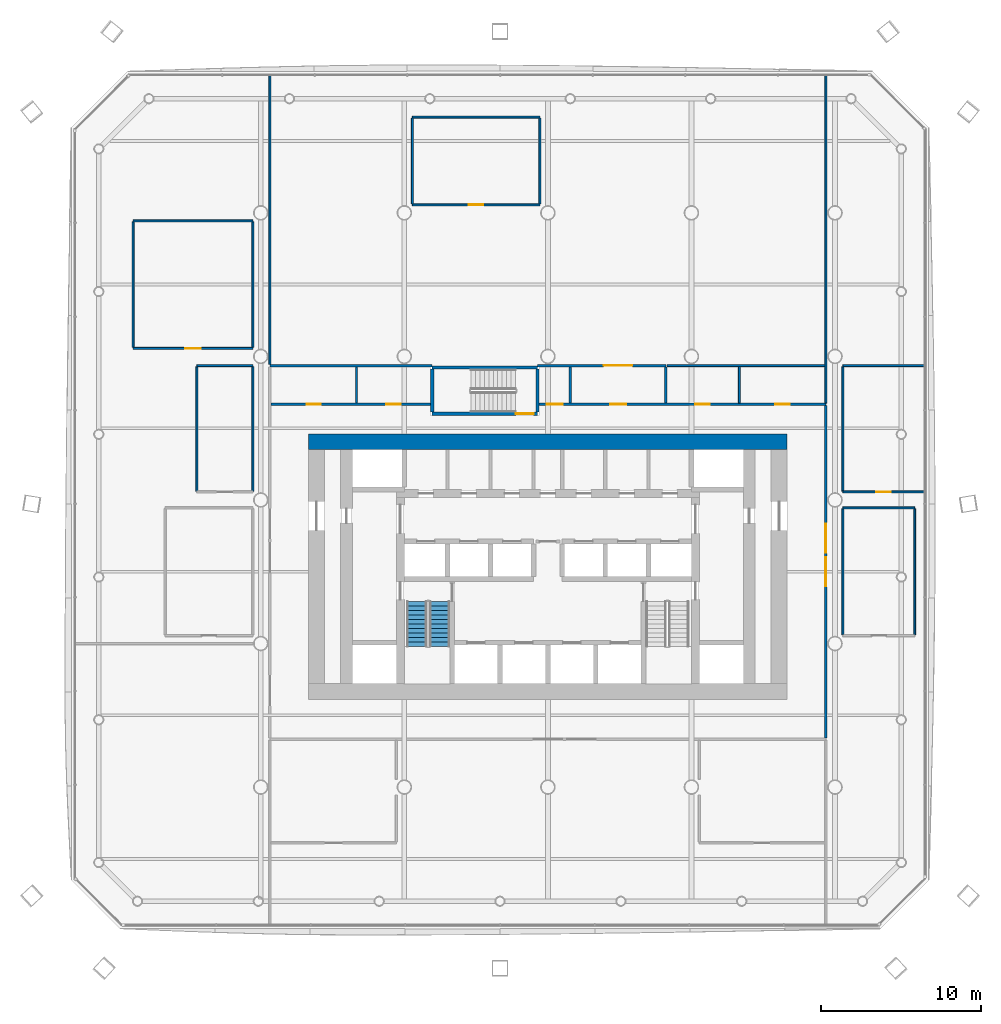
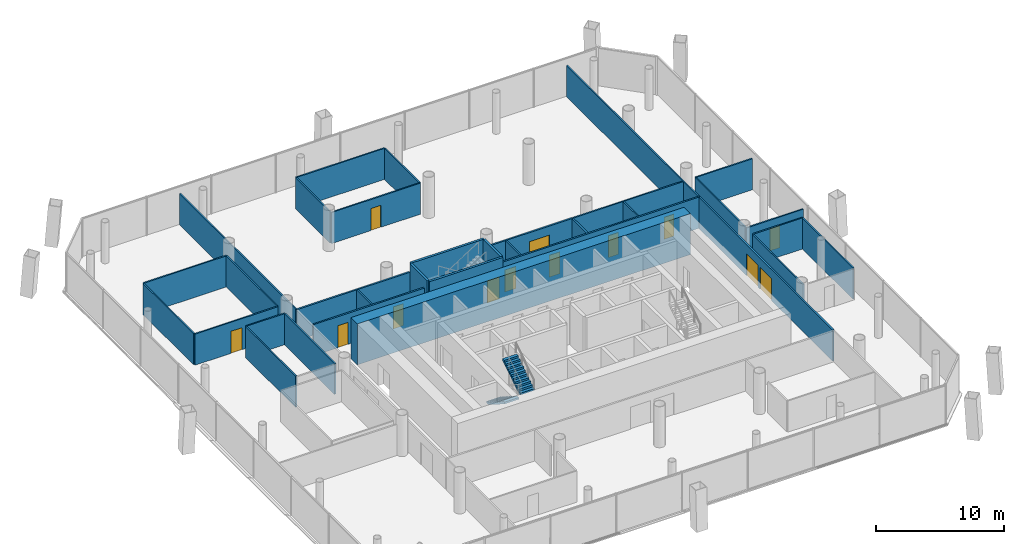
# One storey, part 15 of 21: 34 walls, 13 doors, 2 stair flights, 13 openings, 1 element without a shape of its own.
"""IFC4 building model written with IfcOpenShell, lengths in metres."""

from ifc_helpers import new_model, si_unit, direction, frame, frame_2d, origin, place, context, subcontext, project, spatial, polyline, rectangle, outline, extrude, material, layer, layer_set, type_object, element, fill, aggregate, save


model = new_model("IFC4")

# Units and contexts
model_context = context("Model", 3, precision=1e-05, world=origin(), true_north=direction((0.0, 1.0)))
body_context = subcontext(model_context, "Body", "Model", "MODEL_VIEW")
ifc_project = project(units=[si_unit("LENGTHUNIT", "METRE"), si_unit("AREAUNIT", "SQUARE_METRE"), si_unit("VOLUMEUNIT", "CUBIC_METRE"), si_unit("PLANEANGLEUNIT", "RADIAN"), si_unit("MASSUNIT", "GRAM", prefix="KILO")], contexts=[model_context])

# Site, building, storey
site_placement = place(None, origin())
site = spatial("IfcSite", under=ifc_project, at=site_placement, CompositionType="ELEMENT")
building_placement = place(site_placement, origin())
building = spatial("IfcBuilding", under=site, at=building_placement, Name="Tskaro Facet Tower", CompositionType="ELEMENT")
storey_placement = place(building_placement, frame((0.0, 0.0, 42.0)))
storey = spatial("IfcBuildingStorey", under=building, at=storey_placement, Name="L09", CompositionType="ELEMENT", Elevation=42.0)

# Walls
ifc_material_1 = material(Name="Concrete C60/75", Category="concrete")
ifc_layer_1 = layer(ifc_material_1, 1.0, Name="Concrete C60/75")
ifc_layer_set_1 = layer_set([ifc_layer_1], Name="Concrete C60/75")
wall_type_1 = type_object("IfcWallType", Name="Core wall 1000", PredefinedType="SHEAR", material=ifc_layer_set_1)
wall_1_placement = place(storey_placement, frame((-15.0, 3.64990234375, 0.0), z_axis=(0.0, 0.0, 1.0), x_axis=(1.0, 0.0, 0.0)))
element("IfcWall", 1, at=wall_1_placement, inside=storey, type_object=wall_type_1, Name="Core wall CW-Z1N", PredefinedType="SHEAR", context=body_context, shape_type="SweptSolid", body=[
    extrude(rectangle(XDim=30.0, YDim=1.0, at=frame_2d((15.0, 0.0))), origin(), (0.0, 0.0, 1.0), 3.89990234375),
])
ifc_material_2 = material(Name="Gypsum board on steel studs", Category="steel")
ifc_layer_2 = layer(ifc_material_2, 0.125, Name="Gypsum board on steel studs")
ifc_layer_set_2 = layer_set([ifc_layer_2], Name="Gypsum board on steel studs")
wall_type_2 = type_object("IfcWallType", Name="PART", PredefinedType="PARTITIONING", material=ifc_layer_set_2)
wall_2_placement = place(storey_placement, frame((18.5, -0.5, 0.0), z_axis=(0.0, 0.0, 1.0), x_axis=(1.0, 0.0, 0.0)))
element("IfcWall", 2, at=wall_2_placement, inside=storey, type_object=wall_type_2, Name="Partition W016", PredefinedType="PARTITIONING", context=body_context, shape_type="SweptSolid", body=[
    extrude(rectangle(XDim=4.5, YDim=0.125, at=frame_2d((2.25, 0.0))), origin(), (0.0, 0.0, 1.0), 2.9599609375),
])

# Wall, opening, door
wall_3_placement = place(storey_placement, frame((18.5, 0.5, 0.0), z_axis=(0.0, 0.0, 1.0), x_axis=(1.0, 0.0, 0.0)))
wall_3 = element("IfcWall", 3, at=wall_3_placement, inside=storey, type_object=wall_type_2, Name="Partition W018", PredefinedType="PARTITIONING", context=body_context, shape_type="SweptSolid", body=[
    extrude(rectangle(XDim=5.10400390625, YDim=0.125, at=frame_2d((2.552001953125, 0.0))), origin(), (0.0, 0.0, 1.0), 2.9599609375),
])
opening_1_placement = place(wall_3_placement, frame((2.10205078125, 0.0, 0.0)))
opening_1 = element("IfcOpeningElement", 4, at=opening_1_placement, cuts=wall_3, Name="Opening T2-D28", PredefinedType="OPENING", context=body_context, shape_type="SweptSolid", body=[
    extrude(rectangle(XDim=0.89990234375, YDim=2.10009765625, at=frame_2d((0.449951171875, 1.050048828125))), frame((0.0, 0.072509765625, 0.0), z_axis=(0.0, -1.0, 0.0), x_axis=(1.0, 0.0, 0.0)), (0.0, 0.0, 1.0), 0.14501953125),
])
ifc_material_3 = material(Name="Timber", Category="wood")
door_type_1 = type_object("IfcDoorType", Name="D-ROOM", OperationType="NOTDEFINED", PredefinedType="DOOR", material=ifc_material_3)
door_1_placement = place(opening_1_placement, origin())
door_1 = element("IfcDoor", 5, at=door_1_placement, inside=storey, type_object=door_type_1, Name="Door T2-D28", OperationType="SINGLE_SWING_LEFT", OverallHeight=2.10009765625, OverallWidth=0.89990234375, PredefinedType="DOOR", context=body_context, shape_type="SweptSolid", body=[
    extrude(rectangle(XDim=0.89990234375, YDim=2.10009765625, at=frame_2d((0.449951171875, 1.050048828125))), frame((0.0, 0.02490234375, 0.0), z_axis=(0.0, -1.0, 0.0), x_axis=(1.0, 0.0, 0.0)), (0.0, 0.0, 1.0), 0.050048828125),
])
fill(opening_1, door_1)

# Walls
wall_4_placement = place(storey_placement, frame((-22.0, 8.425048828125, 0.0), z_axis=(0.0, 0.0, 1.0), x_axis=(1.0, 0.0, 0.0)))
element("IfcWall", 6, at=wall_4_placement, inside=storey, type_object=wall_type_2, Name="Partition W025", PredefinedType="PARTITIONING", context=body_context, shape_type="SweptSolid", body=[
    extrude(rectangle(XDim=3.5, YDim=0.125, at=frame_2d((1.75, 0.0))), origin(), (0.0, 0.0, 1.0), 2.9599609375),
])
wall_5_placement = place(storey_placement, frame((7.47509765625, 8.425048828125, 0.0), z_axis=(0.0, 0.0, 1.0), x_axis=(1.0, 0.0, 0.0)))
element("IfcWall", 7, at=wall_5_placement, inside=storey, type_object=wall_type_2, Name="Partition W028", PredefinedType="PARTITIONING", context=body_context, shape_type="SweptSolid", body=[
    extrude(rectangle(XDim=9.887451171875, YDim=0.125, at=frame_2d((4.94384765625, 0.0))), origin(), (0.0, 0.0, 1.0), 2.9599609375),
])
wall_6_placement = place(storey_placement, frame((18.5, 8.425048828125, 0.0), z_axis=(0.0, 0.0, 1.0), x_axis=(1.0, 0.0, 0.0)))
element("IfcWall", 8, at=wall_6_placement, inside=storey, type_object=wall_type_2, Name="Partition W029", PredefinedType="PARTITIONING", context=body_context, shape_type="SweptSolid", body=[
    extrude(rectangle(XDim=5.10400390625, YDim=0.125, at=frame_2d((2.552001953125, 0.0))), origin(), (0.0, 0.0, 1.0), 2.9599609375),
])

# Wall, opening, door
wall_7_placement = place(storey_placement, frame((-26.0, 9.5, 0.0), z_axis=(0.0, 0.0, 1.0), x_axis=(1.0, 0.0, 0.0)))
wall_7 = element("IfcWall", 9, at=wall_7_placement, inside=storey, type_object=wall_type_2, Name="Partition W030", PredefinedType="PARTITIONING", context=body_context, shape_type="SweptSolid", body=[
    extrude(rectangle(XDim=7.5, YDim=0.125, at=frame_2d((3.75, 0.0))), origin(), (0.0, 0.0, 1.0), 2.9599609375),
])
opening_2_placement = place(wall_7_placement, frame((3.25, 0.0, 0.0)))
opening_2 = element("IfcOpeningElement", 10, at=opening_2_placement, cuts=wall_7, Name="Opening T2-D38", PredefinedType="OPENING", context=body_context, shape_type="SweptSolid", body=[
    extrude(rectangle(XDim=1.0, YDim=2.10009765625, at=frame_2d((0.5, 1.050048828125))), frame((0.0, 0.072509765625, 0.0), z_axis=(0.0, -1.0, 0.0), x_axis=(1.0, 0.0, 0.0)), (0.0, 0.0, 1.0), 0.14501953125),
])
door_type_2 = type_object("IfcDoorType", Name="D-ROOM-WIDE", OperationType="NOTDEFINED", PredefinedType="DOOR", material=ifc_material_3)
door_2_placement = place(opening_2_placement, origin())
door_2 = element("IfcDoor", 11, at=door_2_placement, inside=storey, type_object=door_type_2, Name="Door T2-D38", OperationType="SINGLE_SWING_LEFT", OverallHeight=2.10009765625, OverallWidth=1.0, PredefinedType="DOOR", context=body_context, shape_type="SweptSolid", body=[
    extrude(rectangle(XDim=1.0, YDim=2.10009765625, at=frame_2d((0.5, 1.050048828125))), frame((0.0, 0.02490234375, 0.0), z_axis=(0.0, -1.0, 0.0), x_axis=(1.0, 0.0, 0.0)), (0.0, 0.0, 1.0), 0.050048828125),
])
fill(opening_2, door_2)

# Wall
wall_8_placement = place(storey_placement, frame((-26.0, 17.5, 0.0), z_axis=(0.0, 0.0, 1.0), x_axis=(1.0, 0.0, 0.0)))
element("IfcWall", 12, at=wall_8_placement, inside=storey, type_object=wall_type_2, Name="Partition W031", PredefinedType="PARTITIONING", context=body_context, shape_type="SweptSolid", body=[
    extrude(rectangle(XDim=7.5, YDim=0.125, at=frame_2d((3.75, 0.0))), origin(), (0.0, 0.0, 1.0), 2.9599609375),
])

# Wall, opening, door
wall_9_placement = place(storey_placement, frame((-8.5, 18.5, 0.0), z_axis=(0.0, 0.0, 1.0), x_axis=(1.0, 0.0, 0.0)))
wall_9 = element("IfcWall", 13, at=wall_9_placement, inside=storey, type_object=wall_type_2, Name="Partition W032", PredefinedType="PARTITIONING", context=body_context, shape_type="SweptSolid", body=[
    extrude(rectangle(XDim=8.0, YDim=0.125, at=frame_2d((4.0, 0.0))), origin(), (0.0, 0.0, 1.0), 2.9599609375),
])
opening_3_placement = place(wall_9_placement, frame((3.550048828125, 0.0, 0.0)))
opening_3 = element("IfcOpeningElement", 14, at=opening_3_placement, cuts=wall_9, Name="Opening T2-D39", PredefinedType="OPENING", context=body_context, shape_type="SweptSolid", body=[
    extrude(rectangle(XDim=0.89990234375, YDim=2.10009765625, at=frame_2d((0.449951171875, 1.050048828125))), frame((0.0, 0.072509765625, 0.0), z_axis=(0.0, -1.0, 0.0), x_axis=(1.0, 0.0, 0.0)), (0.0, 0.0, 1.0), 0.14501953125),
])
door_3_placement = place(opening_3_placement, origin())
door_3 = element("IfcDoor", 15, at=door_3_placement, inside=storey, type_object=door_type_1, Name="Door T2-D39", OperationType="SINGLE_SWING_LEFT", OverallHeight=2.10009765625, OverallWidth=0.89990234375, PredefinedType="DOOR", context=body_context, shape_type="SweptSolid", body=[
    extrude(rectangle(XDim=0.89990234375, YDim=2.10009765625, at=frame_2d((0.449951171875, 1.050048828125))), frame((0.0, 0.02490234375, 0.0), z_axis=(0.0, -1.0, 0.0), x_axis=(1.0, 0.0, 0.0)), (0.0, 0.0, 1.0), 0.050048828125),
])
fill(opening_3, door_3)

# Walls
wall_10_placement = place(storey_placement, frame((-8.5, 24.0, 0.0), z_axis=(0.0, 0.0, 1.0), x_axis=(1.0, 0.0, 0.0)))
element("IfcWall", 16, at=wall_10_placement, inside=storey, type_object=wall_type_2, Name="Partition W033", PredefinedType="PARTITIONING", context=body_context, shape_type="SweptSolid", body=[
    extrude(rectangle(XDim=8.0, YDim=0.125, at=frame_2d((4.0, 0.0))), origin(), (0.0, 0.0, 1.0), 2.9599609375),
])
wall_11_placement = place(storey_placement, frame((-26.0, 9.5625, 0.0), z_axis=(0.0, 0.0, 1.0), x_axis=(0.0, 1.0, 0.0)))
element("IfcWall", 17, at=wall_11_placement, inside=storey, type_object=wall_type_2, Name="Partition W034", PredefinedType="PARTITIONING", context=body_context, shape_type="SweptSolid", body=[
    extrude(rectangle(XDim=7.875, YDim=0.125, at=frame_2d((3.9375, 0.0))), origin(), (0.0, 0.0, 1.0), 2.9599609375),
])
for number, where, z_axis, x_axis, name in (
    (18, (-22.0, 0.5625, 0.0), (0.0, 0.0, 1.0), (0.0, 1.0, 0.0), "Partition W036"),
    (19, (-18.5, 0.5625, 0.0), (0.0, 0.0, 1.0), (0.0, 1.0, 0.0), "Partition W038"),
):
    element("IfcWall", number, at=place(storey_placement, frame(where, z_axis=z_axis, x_axis=x_axis)), inside=storey, type_object=wall_type_2, Name=name, PredefinedType="PARTITIONING", context=body_context, shape_type="SweptSolid", body=[
        extrude(rectangle(XDim=7.800048828125, YDim=0.125, at=frame_2d((3.89990234375, 0.0))), origin(), (0.0, 0.0, 1.0), 2.9599609375),
    ])
wall_12_placement = place(storey_placement, frame((-18.5, 9.5625, 0.0), z_axis=(0.0, 0.0, 1.0), x_axis=(0.0, 1.0, 0.0)))
element("IfcWall", 20, at=wall_12_placement, inside=storey, type_object=wall_type_2, Name="Partition W039", PredefinedType="PARTITIONING", context=body_context, shape_type="SweptSolid", body=[
    extrude(rectangle(XDim=7.875, YDim=0.125, at=frame_2d((3.9375, 0.0))), origin(), (0.0, 0.0, 1.0), 2.9599609375),
])
wall_13_placement = place(storey_placement, frame((-17.425048828125, 8.5, 0.0), z_axis=(0.0, 0.0, 1.0), x_axis=(0.0, 1.0, 0.0)))
element("IfcWall", 21, at=wall_13_placement, inside=storey, type_object=wall_type_2, Name="Partition W042", PredefinedType="PARTITIONING", context=body_context, shape_type="SweptSolid", body=[
    extrude(rectangle(XDim=18.10400390625, YDim=0.125, at=frame_2d((9.052001953125, 0.0))), origin(), (0.0, 0.0, 1.0), 2.9599609375),
])
for number, where, z_axis, x_axis, name in (
    (22, (-8.5, 18.5625, 0.0), (0.0, 0.0, 1.0), (0.0, 1.0, 0.0), "Partition W047"),
    (23, (-0.5, 18.5625, 0.0), (0.0, 0.0, 1.0), (0.0, 1.0, 0.0), "Partition W058"),
):
    element("IfcWall", number, at=place(storey_placement, frame(where, z_axis=z_axis, x_axis=x_axis)), inside=storey, type_object=wall_type_2, Name=name, PredefinedType="PARTITIONING", context=body_context, shape_type="SweptSolid", body=[
        extrude(rectangle(XDim=5.375, YDim=0.125, at=frame_2d((2.6875, 0.0))), origin(), (0.0, 0.0, 1.0), 2.9599609375),
    ])
wall_14_placement = place(storey_placement, frame((12.0, 6.074951171875, 0.0), z_axis=(0.0, 0.0, 1.0), x_axis=(0.0, 1.0, 0.0)))
element("IfcWall", 24, at=wall_14_placement, inside=storey, type_object=wall_type_2, Name="Partition W073", PredefinedType="PARTITIONING", context=body_context, shape_type="SweptSolid", body=[
    extrude(rectangle(XDim=2.28759765625, YDim=0.125, at=frame_2d((1.143798828125, 0.0))), origin(), (0.0, 0.0, 1.0), 2.9599609375),
])
wall_15_placement = place(storey_placement, frame((17.425048828125, 6.074951171875, 0.0), z_axis=(0.0, 0.0, 1.0), x_axis=(0.0, 1.0, 0.0)))
element("IfcWall", 25, at=wall_15_placement, inside=storey, type_object=wall_type_2, Name="Partition W076", PredefinedType="PARTITIONING", context=body_context, shape_type="SweptSolid", body=[
    extrude(rectangle(XDim=20.529052734375, YDim=0.125, at=frame_2d((10.2646484375, 0.0))), origin(), (0.0, 0.0, 1.0), 2.9599609375),
])
wall_16_placement = place(storey_placement, frame((18.5, -8.4375, 0.0), z_axis=(0.0, 0.0, 1.0), x_axis=(0.0, 1.0, 0.0)))
element("IfcWall", 26, at=wall_16_placement, inside=storey, type_object=wall_type_2, Name="Partition W077", PredefinedType="PARTITIONING", context=body_context, shape_type="SweptSolid", body=[
    extrude(rectangle(XDim=7.875, YDim=0.125, at=frame_2d((3.9375, 0.0))), origin(), (0.0, 0.0, 1.0), 2.9599609375),
])
wall_17_placement = place(storey_placement, frame((18.5, 0.5625, 0.0), z_axis=(0.0, 0.0, 1.0), x_axis=(0.0, 1.0, 0.0)))
element("IfcWall", 27, at=wall_17_placement, inside=storey, type_object=wall_type_2, Name="Partition W078", PredefinedType="PARTITIONING", context=body_context, shape_type="SweptSolid", body=[
    extrude(rectangle(XDim=7.800048828125, YDim=0.125, at=frame_2d((3.89990234375, 0.0))), origin(), (0.0, 0.0, 1.0), 2.9599609375),
])
wall_18_placement = place(storey_placement, frame((23.0, -8.4375, 0.0), z_axis=(0.0, 0.0, 1.0), x_axis=(0.0, 1.0, 0.0)))
element("IfcWall", 28, at=wall_18_placement, inside=storey, type_object=wall_type_2, Name="Partition W079", PredefinedType="PARTITIONING", context=body_context, shape_type="SweptSolid", body=[
    extrude(rectangle(XDim=7.875, YDim=0.125, at=frame_2d((3.9375, 0.0))), origin(), (0.0, 0.0, 1.0), 2.9599609375),
])

# Wall, openings, doors
ifc_layer_3 = layer(ifc_material_2, 0.14990234375, Name="Gypsum board on steel studs")
ifc_layer_set_3 = layer_set([ifc_layer_3], Name="Gypsum board on steel studs")
wall_type_3 = type_object("IfcWallType", Name="PART-CORR", PredefinedType="PARTITIONING", material=ifc_layer_set_3)
wall_19_placement = place(storey_placement, frame((-17.35009765625, 6.0, 0.0), z_axis=(0.0, 0.0, 1.0), x_axis=(1.0, 0.0, 0.0)))
wall_19 = element("IfcWall", 29, at=wall_19_placement, inside=storey, type_object=wall_type_3, Name="Corridor wall W022", PredefinedType="PARTITIONING", context=body_context, shape_type="SweptSolid", body=[
    extrude(rectangle(XDim=10.0, YDim=0.14990234375, at=frame_2d((5.0, 0.0))), origin(), (0.0, 0.0, 1.0), 2.9599609375),
])
opening_4_placement = place(wall_19_placement, frame((2.22509765625, 0.0, 0.0)))
opening_4 = element("IfcOpeningElement", 30, at=opening_4_placement, cuts=wall_19, Name="Opening T2-D31", PredefinedType="OPENING", context=body_context, shape_type="SweptSolid", body=[
    extrude(rectangle(XDim=0.89990234375, YDim=2.10009765625, at=frame_2d((0.449951171875, 1.050048828125))), frame((0.0, 0.0849609375, 0.0), z_axis=(0.0, -1.0, 0.0), x_axis=(1.0, 0.0, 0.0)), (0.0, 0.0, 1.0), 0.169921875),
])
opening_5_placement = place(wall_19_placement, frame((7.22509765625, 0.0, 0.0)))
opening_5 = element("IfcOpeningElement", 31, at=opening_5_placement, cuts=wall_19, Name="Opening T2-D32", PredefinedType="OPENING", context=body_context, shape_type="SweptSolid", body=[
    extrude(rectangle(XDim=0.89990234375, YDim=2.10009765625, at=frame_2d((0.449951171875, 1.050048828125))), frame((0.0, 0.0849609375, 0.0), z_axis=(0.0, -1.0, 0.0), x_axis=(1.0, 0.0, 0.0)), (0.0, 0.0, 1.0), 0.169921875),
])
door_4_placement = place(opening_4_placement, origin())
door_4 = element("IfcDoor", 32, at=door_4_placement, inside=storey, type_object=door_type_1, Name="Door T2-D31", OperationType="SINGLE_SWING_LEFT", OverallHeight=2.10009765625, OverallWidth=0.89990234375, PredefinedType="DOOR", context=body_context, shape_type="SweptSolid", body=[
    extrude(rectangle(XDim=0.89990234375, YDim=2.10009765625, at=frame_2d((0.449951171875, 1.050048828125))), frame((0.0, 0.02490234375, 0.0), z_axis=(0.0, -1.0, 0.0), x_axis=(1.0, 0.0, 0.0)), (0.0, 0.0, 1.0), 0.050048828125),
])
fill(opening_4, door_4)
door_5_placement = place(opening_5_placement, origin())
door_5 = element("IfcDoor", 33, at=door_5_placement, inside=storey, type_object=door_type_1, Name="Door T2-D32", OperationType="SINGLE_SWING_LEFT", OverallHeight=2.10009765625, OverallWidth=0.89990234375, PredefinedType="DOOR", context=body_context, shape_type="SweptSolid", body=[
    extrude(rectangle(XDim=0.89990234375, YDim=2.10009765625, at=frame_2d((0.449951171875, 1.050048828125))), frame((0.0, 0.02490234375, 0.0), z_axis=(0.0, -1.0, 0.0), x_axis=(1.0, 0.0, 0.0)), (0.0, 0.0, 1.0), 0.050048828125),
])
fill(opening_5, door_5)

wall_20_placement = place(storey_placement, frame((17.425048828125, 6.0, 0.0), z_axis=(0.0, 0.0, 1.0), x_axis=(-1.0, 0.0, 0.0)))
wall_20 = element("IfcWall", 34, at=wall_20_placement, inside=storey, type_object=wall_type_3, Name="Corridor wall W023", PredefinedType="PARTITIONING", context=body_context, shape_type="SweptSolid", body=[
    extrude(rectangle(XDim=17.97509765625, YDim=0.14990234375, at=frame_2d((8.987548828125, 0.0))), origin(), (0.0, 0.0, 1.0), 2.9599609375),
])
opening_6_placement = place(wall_20_placement, frame((12.52490234375, 0.0, 0.0)))
opening_6 = element("IfcOpeningElement", 35, at=opening_6_placement, cuts=wall_20, Name="Opening T2-D34", PredefinedType="OPENING", context=body_context, shape_type="SweptSolid", body=[
    extrude(rectangle(XDim=1.0, YDim=2.10009765625, at=frame_2d((0.5, 1.050048828125))), frame((0.0, 0.0849609375, 0.0), z_axis=(0.0, -1.0, 0.0), x_axis=(1.0, 0.0, 0.0)), (0.0, 0.0, 1.0), 0.169921875),
])
opening_7_placement = place(wall_20_placement, frame((16.5, 0.0, 0.0)))
opening_7 = element("IfcOpeningElement", 36, at=opening_7_placement, cuts=wall_20, Name="Opening T2-D33", PredefinedType="OPENING", context=body_context, shape_type="SweptSolid", body=[
    extrude(rectangle(XDim=1.0, YDim=2.10009765625, at=frame_2d((0.5, 1.050048828125))), frame((0.0, 0.0849609375, 0.0), z_axis=(0.0, -1.0, 0.0), x_axis=(1.0, 0.0, 0.0)), (0.0, 0.0, 1.0), 0.169921875),
])
opening_8_placement = place(wall_20_placement, frame((7.27490234375, 0.0, 0.0)))
opening_8 = element("IfcOpeningElement", 37, at=opening_8_placement, cuts=wall_20, Name="Opening T2-D35", PredefinedType="OPENING", context=body_context, shape_type="SweptSolid", body=[
    extrude(rectangle(XDim=0.89990234375, YDim=2.10009765625, at=frame_2d((0.449951171875, 1.050048828125))), frame((0.0, 0.0849609375, 0.0), z_axis=(0.0, -1.0, 0.0), x_axis=(1.0, 0.0, 0.0)), (0.0, 0.0, 1.0), 0.169921875),
])
opening_9_placement = place(wall_20_placement, frame((2.262451171875, 0.0, 0.0)))
opening_9 = element("IfcOpeningElement", 38, at=opening_9_placement, cuts=wall_20, Name="Opening T2-D36", PredefinedType="OPENING", context=body_context, shape_type="SweptSolid", body=[
    extrude(rectangle(XDim=0.89990234375, YDim=2.10009765625, at=frame_2d((0.449951171875, 1.050048828125))), frame((0.0, 0.0849609375, 0.0), z_axis=(0.0, -1.0, 0.0), x_axis=(1.0, 0.0, 0.0)), (0.0, 0.0, 1.0), 0.169921875),
])
door_type_3 = type_object("IfcDoorType", Name="D-ENTRY", OperationType="NOTDEFINED", PredefinedType="DOOR", material=ifc_material_3)
door_6_placement = place(opening_6_placement, origin())
door_6 = element("IfcDoor", 39, at=door_6_placement, inside=storey, type_object=door_type_3, Name="Door T2-D34", OperationType="SINGLE_SWING_RIGHT", OverallHeight=2.10009765625, OverallWidth=1.0, PredefinedType="DOOR", context=body_context, shape_type="SweptSolid", body=[
    extrude(rectangle(XDim=1.0, YDim=2.10009765625, at=frame_2d((0.5, 1.050048828125))), frame((0.0, 0.02490234375, 0.0), z_axis=(0.0, -1.0, 0.0), x_axis=(1.0, 0.0, 0.0)), (0.0, 0.0, 1.0), 0.050048828125),
])
fill(opening_6, door_6)
door_7_placement = place(opening_8_placement, origin())
door_7 = element("IfcDoor", 40, at=door_7_placement, inside=storey, type_object=door_type_1, Name="Door T2-D35", OperationType="SINGLE_SWING_RIGHT", OverallHeight=2.10009765625, OverallWidth=0.89990234375, PredefinedType="DOOR", context=body_context, shape_type="SweptSolid", body=[
    extrude(rectangle(XDim=0.89990234375, YDim=2.10009765625, at=frame_2d((0.449951171875, 1.050048828125))), frame((0.0, 0.02490234375, 0.0), z_axis=(0.0, -1.0, 0.0), x_axis=(1.0, 0.0, 0.0)), (0.0, 0.0, 1.0), 0.050048828125),
])
fill(opening_8, door_7)
door_8_placement = place(opening_9_placement, origin())
door_8 = element("IfcDoor", 41, at=door_8_placement, inside=storey, type_object=door_type_1, Name="Door T2-D36", OperationType="SINGLE_SWING_RIGHT", OverallHeight=2.10009765625, OverallWidth=0.89990234375, PredefinedType="DOOR", context=body_context, shape_type="SweptSolid", body=[
    extrude(rectangle(XDim=0.89990234375, YDim=2.10009765625, at=frame_2d((0.449951171875, 1.050048828125))), frame((0.0, 0.02490234375, 0.0), z_axis=(0.0, -1.0, 0.0), x_axis=(1.0, 0.0, 0.0)), (0.0, 0.0, 1.0), 0.050048828125),
])
fill(opening_9, door_8)
door_9_placement = place(opening_7_placement, origin())
door_9 = element("IfcDoor", 42, at=door_9_placement, inside=storey, type_object=door_type_2, Name="Door T2-D33", OperationType="SINGLE_SWING_RIGHT", OverallHeight=2.10009765625, OverallWidth=1.0, PredefinedType="DOOR", context=body_context, shape_type="SweptSolid", body=[
    extrude(rectangle(XDim=1.0, YDim=2.10009765625, at=frame_2d((0.5, 1.050048828125))), frame((0.0, 0.02490234375, 0.0), z_axis=(0.0, -1.0, 0.0), x_axis=(1.0, 0.0, 0.0)), (0.0, 0.0, 1.0), 0.050048828125),
])
fill(opening_7, door_9)

# Wall
wall_21_placement = place(storey_placement, frame((-17.425048828125, 8.425048828125, 0.0), z_axis=(0.0, 0.0, 1.0), x_axis=(1.0, 0.0, 0.0)))
element("IfcWall", 43, at=wall_21_placement, inside=storey, type_object=wall_type_3, Name="Corridor wall W026", PredefinedType="PARTITIONING", context=body_context, shape_type="SweptSolid", body=[
    extrude(rectangle(XDim=10.175048828125, YDim=0.14990234375, at=frame_2d((5.08740234375, 0.0))), origin(), (0.0, 0.0, 1.0), 2.9599609375),
])

# Wall, opening, door
wall_22_placement = place(storey_placement, frame((-0.64990234375, 8.425048828125, 0.0), z_axis=(0.0, 0.0, 1.0), x_axis=(1.0, 0.0, 0.0)))
wall_22 = element("IfcWall", 44, at=wall_22_placement, inside=storey, type_object=wall_type_3, Name="Corridor wall W027", PredefinedType="PARTITIONING", context=body_context, shape_type="SweptSolid", body=[
    extrude(rectangle(XDim=8.0498046875, YDim=0.14990234375, at=frame_2d((4.02490234375, 0.0))), origin(), (0.0, 0.0, 1.0), 2.9599609375),
])
opening_10_placement = place(wall_22_placement, frame((4.14990234375, 0.0, 0.0)))
opening_10 = element("IfcOpeningElement", 45, at=opening_10_placement, cuts=wall_22, Name="Opening T2-D37", PredefinedType="OPENING", context=body_context, shape_type="SweptSolid", body=[
    extrude(rectangle(XDim=1.800048828125, YDim=2.10009765625, at=frame_2d((0.89990234375, 1.050048828125))), frame((0.0, 0.0849609375, 0.0), z_axis=(0.0, -1.0, 0.0), x_axis=(1.0, 0.0, 0.0)), (0.0, 0.0, 1.0), 0.169921875),
])
ifc_material_4 = material(Name="Glass", Category="glass")
door_type_4 = type_object("IfcDoorType", Name="D-ENTRY-PAIR", OperationType="NOTDEFINED", PredefinedType="DOOR", material=ifc_material_4)
door_10_placement = place(opening_10_placement, origin())
door_10 = element("IfcDoor", 46, at=door_10_placement, inside=storey, type_object=door_type_4, Name="Door T2-D37", OperationType="DOUBLE_DOOR_SINGLE_SWING", OverallHeight=2.10009765625, OverallWidth=1.800048828125, PredefinedType="DOOR", context=body_context, shape_type="SweptSolid", body=[
    extrude(rectangle(XDim=1.800048828125, YDim=2.10009765625, at=frame_2d((0.89990234375, 1.050048828125))), frame((0.0, 0.02490234375, 0.0), z_axis=(0.0, -1.0, 0.0), x_axis=(1.0, 0.0, 0.0)), (0.0, 0.0, 1.0), 0.050048828125),
])
fill(opening_10, door_10)

# Walls
for number, where, z_axis, x_axis, name in (
    (47, (-12.0, 6.074951171875, 0.0), (0.0, 0.0, 1.0), (0.0, 1.0, 0.0), "Corridor wall W043"),
    (48, (1.39990234375, 6.074951171875, 0.0), (0.0, 0.0, 1.0), (0.0, 1.0, 0.0), "Corridor wall W062"),
    (49, (7.39990234375, 6.074951171875, 0.0), (0.0, 0.0, 1.0), (0.0, 1.0, 0.0), "Corridor wall W069"),
):
    element("IfcWall", number, at=place(storey_placement, frame(where, z_axis=z_axis, x_axis=x_axis)), inside=storey, type_object=wall_type_3, Name=name, PredefinedType="PARTITIONING", context=body_context, shape_type="SweptSolid", body=[
        extrude(rectangle(XDim=2.275146484375, YDim=0.14990234375, at=frame_2d((1.1376953125, 0.0))), origin(), (0.0, 0.0, 1.0), 2.9599609375),
    ])

# Wall, openings, doors
wall_23_placement = place(storey_placement, frame((17.425048828125, -14.925048828125, 0.0), z_axis=(0.0, 0.0, 1.0), x_axis=(0.0, 1.0, 0.0)))
wall_23 = element("IfcWall", 50, at=wall_23_placement, inside=storey, type_object=wall_type_3, Name="Corridor wall W075", PredefinedType="PARTITIONING", context=body_context, shape_type="SweptSolid", body=[
    extrude(rectangle(XDim=20.85009765625, YDim=0.14990234375, at=frame_2d((10.425048828125, 0.0))), origin(), (0.0, 0.0, 1.0), 2.9599609375),
])
opening_11_placement = place(wall_23_placement, frame((9.52490234375, 0.0, 0.0)))
opening_11 = element("IfcOpeningElement", 51, at=opening_11_placement, cuts=wall_23, Name="Opening T2-D10", PredefinedType="OPENING", context=body_context, shape_type="SweptSolid", body=[
    extrude(rectangle(XDim=1.800048828125, YDim=2.10009765625, at=frame_2d((0.89990234375, 1.050048828125))), frame((0.0, 0.0849609375, 0.0), z_axis=(0.0, -1.0, 0.0), x_axis=(1.0, 0.0, 0.0)), (0.0, 0.0, 1.0), 0.169921875),
])
opening_12_placement = place(wall_23_placement, frame((11.625, 0.0, 0.0)))
opening_12 = element("IfcOpeningElement", 52, at=opening_12_placement, cuts=wall_23, Name="Opening T2-D12", PredefinedType="OPENING", context=body_context, shape_type="SweptSolid", body=[
    extrude(rectangle(XDim=1.800048828125, YDim=2.10009765625, at=frame_2d((0.89990234375, 1.050048828125))), frame((0.0, 0.0849609375, 0.0), z_axis=(0.0, -1.0, 0.0), x_axis=(1.0, 0.0, 0.0)), (0.0, 0.0, 1.0), 0.169921875),
])
door_11_placement = place(opening_11_placement, origin())
door_11 = element("IfcDoor", 53, at=door_11_placement, inside=storey, type_object=door_type_4, Name="Door T2-D10", OperationType="DOUBLE_DOOR_SINGLE_SWING", OverallHeight=2.10009765625, OverallWidth=1.800048828125, PredefinedType="DOOR", context=body_context, shape_type="SweptSolid", body=[
    extrude(rectangle(XDim=1.800048828125, YDim=2.10009765625, at=frame_2d((0.89990234375, 1.050048828125))), frame((0.0, 0.02490234375, 0.0), z_axis=(0.0, -1.0, 0.0), x_axis=(1.0, 0.0, 0.0)), (0.0, 0.0, 1.0), 0.050048828125),
])
fill(opening_11, door_11)
door_12_placement = place(opening_12_placement, origin())
door_12 = element("IfcDoor", 54, at=door_12_placement, inside=storey, type_object=door_type_4, Name="Door T2-D12", OperationType="DOUBLE_DOOR_SINGLE_SWING", OverallHeight=2.10009765625, OverallWidth=1.800048828125, PredefinedType="DOOR", context=body_context, shape_type="SweptSolid", body=[
    extrude(rectangle(XDim=1.800048828125, YDim=2.10009765625, at=frame_2d((0.89990234375, 1.050048828125))), frame((0.0, 0.02490234375, 0.0), z_axis=(0.0, -1.0, 0.0), x_axis=(1.0, 0.0, 0.0)), (0.0, 0.0, 1.0), 0.050048828125),
])
fill(opening_12, door_12)

# Wall, opening, door
ifc_layer_4 = layer(ifc_material_1, 0.199951171875, Name="Concrete C60/75")
ifc_layer_set_4 = layer_set([ifc_layer_4], Name="Concrete C60/75")
wall_type_4 = type_object("IfcWallType", Name="STAIR-WALL", PredefinedType="SHEAR", material=ifc_layer_set_4)
wall_24_placement = place(storey_placement, frame((-7.25, 5.39990234375, 0.0), z_axis=(0.0, 0.0, 1.0), x_axis=(1.0, 0.0, 0.0)))
wall_24 = element("IfcWall", 55, at=wall_24_placement, inside=storey, type_object=wall_type_4, Name="Stair wall W021", PredefinedType="SHEAR", context=body_context, shape_type="SweptSolid", body=[
    extrude(rectangle(XDim=6.60009765625, YDim=0.199951171875, at=frame_2d((3.300048828125, 0.0))), origin(), (0.0, 0.0, 1.0), 3.89990234375),
])
opening_13_placement = place(wall_24_placement, frame((5.25, 0.0, 0.0)))
opening_13 = element("IfcOpeningElement", 56, at=opening_13_placement, cuts=wall_24, Name="Opening ST-3-D1", PredefinedType="OPENING", context=body_context, shape_type="SweptSolid", body=[
    extrude(rectangle(XDim=1.10009765625, YDim=2.10009765625, at=frame_2d((0.550048828125, 1.050048828125))), frame((0.0, 0.10986328125, 0.0), z_axis=(0.0, -1.0, 0.0), x_axis=(1.0, 0.0, 0.0)), (0.0, 0.0, 1.0), 0.219970703125),
])
ifc_material_5 = material(Name="Steel", Category="steel")
door_type_5 = type_object("IfcDoorType", Name="D-STAIR", OperationType="NOTDEFINED", PredefinedType="DOOR", material=ifc_material_5)
door_13_placement = place(opening_13_placement, origin())
door_13 = element("IfcDoor", 57, at=door_13_placement, inside=storey, type_object=door_type_5, Name="Stair door 3", OperationType="SINGLE_SWING_LEFT", OverallHeight=2.10009765625, OverallWidth=1.10009765625, PredefinedType="DOOR", context=body_context, shape_type="SweptSolid", body=[
    extrude(rectangle(XDim=1.10009765625, YDim=2.10009765625, at=frame_2d((0.550048828125, 1.050048828125))), frame((0.0, 0.02490234375, 0.0), z_axis=(0.0, -1.0, 0.0), x_axis=(1.0, 0.0, 0.0)), (0.0, 0.0, 1.0), 0.050048828125),
])
fill(opening_13, door_13)

# Walls
wall_25_placement = place(storey_placement, frame((-7.25, 8.300048828125, 0.0), z_axis=(0.0, 0.0, 1.0), x_axis=(1.0, 0.0, 0.0)))
element("IfcWall", 58, at=wall_25_placement, inside=storey, type_object=wall_type_4, Name="Stair wall W024", PredefinedType="SHEAR", context=body_context, shape_type="SweptSolid", body=[
    extrude(rectangle(XDim=6.60009765625, YDim=0.199951171875, at=frame_2d((3.300048828125, 0.0))), origin(), (0.0, 0.0, 1.0), 3.89990234375),
])
for number, where, z_axis, x_axis, name in (
    (59, (-7.25, 5.5, 0.0), (0.0, 0.0, 1.0), (0.0, 1.0, 0.0), "Stair wall W048"),
    (60, (-0.64990234375, 5.5, 0.0), (0.0, 0.0, 1.0), (0.0, 1.0, 0.0), "Stair wall W057"),
):
    element("IfcWall", number, at=place(storey_placement, frame(where, z_axis=z_axis, x_axis=x_axis)), inside=storey, type_object=wall_type_4, Name=name, PredefinedType="SHEAR", context=body_context, shape_type="SweptSolid", body=[
        extrude(rectangle(XDim=2.699951171875, YDim=0.199951171875, at=frame_2d((1.35009765625, 0.0))), origin(), (0.0, 0.0, 1.0), 3.89990234375),
    ])

# Stair, stair flights
ifc_material_6 = material(Name="Concrete C40/50", Category="concrete")
stair_type = type_object("IfcStairType", Name="ST-TWR", PredefinedType="HALF_TURN_STAIR", material=ifc_material_6)
stair_placement = place(storey_placement, origin())
stair = element("IfcStair", 61, at=stair_placement, inside=storey, type_object=stair_type, Name="L09 Exit stair 1", PredefinedType="HALF_TURN_STAIR")
stair_flight_type = type_object("IfcStairFlightType", Name="SFL-RC", PredefinedType="STRAIGHT", material=ifc_material_6)
stair_flight_1_placement = place(storey_placement, frame((-8.21240234375, -6.375, 0.0), z_axis=(0.0, 0.0, 1.0), x_axis=(0.0, -1.0, 0.0)))
stair_flight_1 = element("IfcStairFlight", 62, at=stair_flight_1_placement, type_object=stair_flight_type, Name="ST-1 flight 1", NumberOfRisers=11, NumberOfTreads=10, PredefinedType="STRAIGHT", RiserHeight=0.177272727, TreadLength=0.28, context=body_context, shape_type="SweptSolid", body=[
    extrude(outline(polyline([(0.0, 0.0), (0.0, 0.17724609375), (0.280029296875, 0.17724609375), (0.280029296875, 0.3544921875), (0.56005859375, 0.3544921875), (0.56005859375, 0.53173828125), (0.840087890625, 0.53173828125), (0.840087890625, 0.708984375), (1.1201171875, 0.708984375), (1.1201171875, 0.886474609375), (1.39990234375, 0.886474609375), (1.39990234375, 1.063720703125), (1.679931640625, 1.063720703125), (1.679931640625, 1.240966796875), (1.9599609375, 1.240966796875), (1.9599609375, 1.418212890625), (2.239990234375, 1.418212890625), (2.239990234375, 1.595458984375), (2.52001953125, 1.595458984375), (2.52001953125, 1.772705078125), (2.800048828125, 1.772705078125), (2.800048828125, 1.949951171875), (2.800048828125, 1.59521484375), (0.2802734375, 0.0), (0.0, 0.0)])), frame((0.0, 0.637451171875, 0.0), z_axis=(0.0, -1.0, 0.0), x_axis=(1.0, 0.0, 0.0)), (0.0, 0.0, 1.0), 1.27490234375),
])
stair_flight_2_placement = place(storey_placement, frame((-6.78759765625, -9.175048828125, 1.949951171875), z_axis=(0.0, 0.0, 1.0), x_axis=(0.0, 1.0, 0.0)))
stair_flight_2 = element("IfcStairFlight", 63, at=stair_flight_2_placement, type_object=stair_flight_type, Name="ST-1 flight 2", NumberOfRisers=11, NumberOfTreads=10, PredefinedType="STRAIGHT", RiserHeight=0.177272727, TreadLength=0.28, context=body_context, shape_type="SweptSolid", body=[
    extrude(outline(polyline([(0.0, 0.0), (0.0, 0.17724609375), (0.280029296875, 0.17724609375), (0.280029296875, 0.3544921875), (0.56005859375, 0.3544921875), (0.56005859375, 0.53173828125), (0.840087890625, 0.53173828125), (0.840087890625, 0.708984375), (1.1201171875, 0.708984375), (1.1201171875, 0.886474609375), (1.39990234375, 0.886474609375), (1.39990234375, 1.063720703125), (1.679931640625, 1.063720703125), (1.679931640625, 1.240966796875), (1.9599609375, 1.240966796875), (1.9599609375, 1.418212890625), (2.239990234375, 1.418212890625), (2.239990234375, 1.595458984375), (2.52001953125, 1.595458984375), (2.52001953125, 1.772705078125), (2.800048828125, 1.772705078125), (2.800048828125, 1.949951171875), (2.800048828125, 1.59521484375), (0.2802734375, 0.0), (0.0, 0.0)])), frame((0.0, 0.637451171875, 0.0), z_axis=(0.0, -1.0, 0.0), x_axis=(1.0, 0.0, 0.0)), (0.0, 0.0, 1.0), 1.27490234375),
])
aggregate(stair, [stair_flight_1, stair_flight_2])

save(model, "model.ifc")
